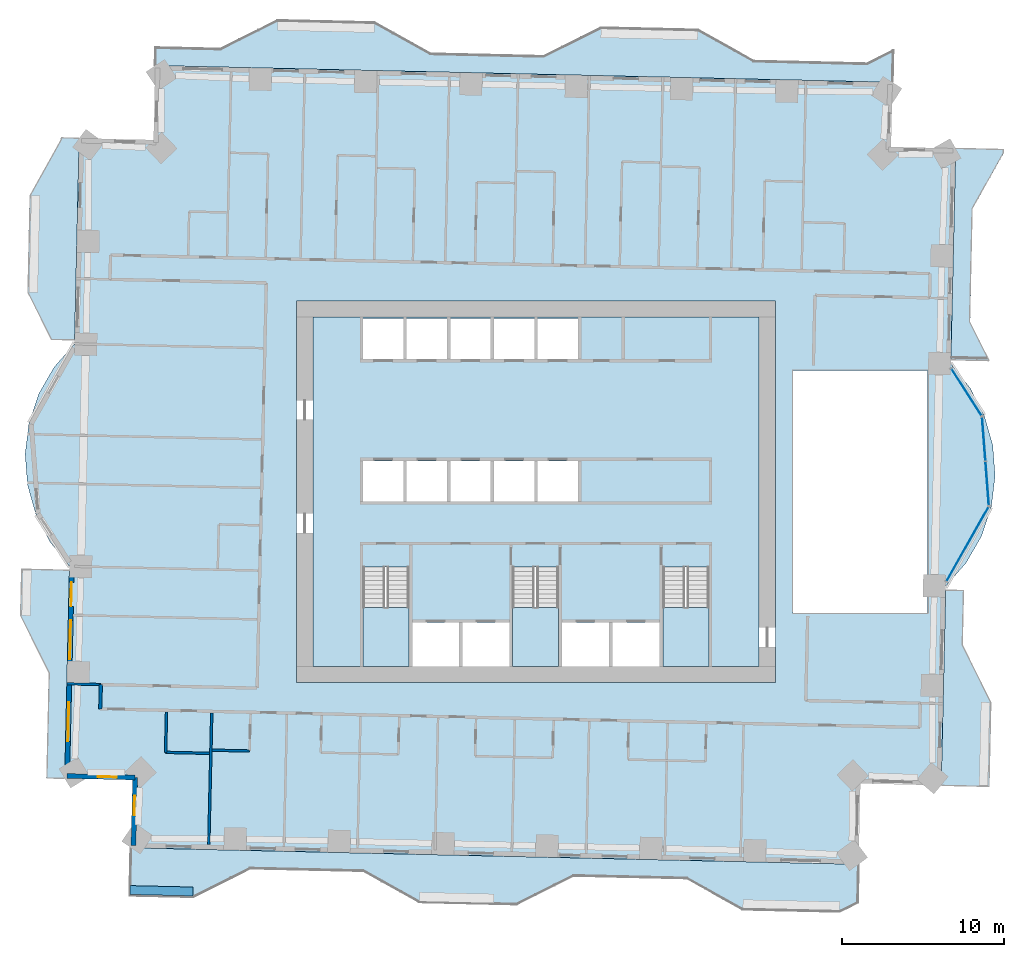
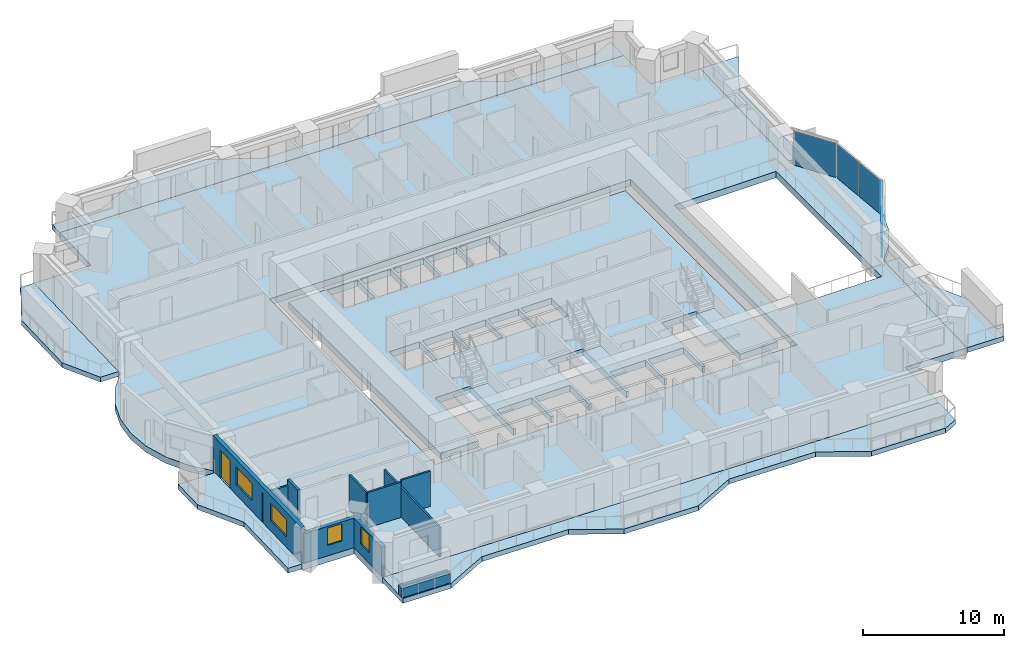
# One storey, part 5 of 16: 11 slabs, 10 walls, 4 plates, 4 windows, 1 door, 5 openings, 6 elements without a shape of their own.
"""IFC4 building model written with IfcOpenShell, lengths in metres."""

from ifc_helpers import new_model, si_unit, direction, frame, frame_2d, origin, origin_2d, place, context, subcontext, project, spatial, polyline, rectangle, outline, extrude, material, layer, layer_set, type_object, element, fill, aggregate, save


model = new_model("IFC4")

# Units and contexts
model_context = context("Model", 3, precision=1e-05, world=origin(), true_north=direction((0.0, 1.0)))
body_context = subcontext(model_context, "Body", "Model", "MODEL_VIEW")
ifc_project = project(units=[si_unit("LENGTHUNIT", "METRE"), si_unit("AREAUNIT", "SQUARE_METRE"), si_unit("VOLUMEUNIT", "CUBIC_METRE"), si_unit("PLANEANGLEUNIT", "RADIAN"), si_unit("MASSUNIT", "GRAM", prefix="KILO")], contexts=[model_context])

# Site, building, storey
site_placement = place(None, origin())
site = spatial("IfcSite", under=ifc_project, at=site_placement, CompositionType="ELEMENT")
building_placement = place(site_placement, origin())
building = spatial("IfcBuilding", under=site, at=building_placement, Name="Mangrove Gate Tower", CompositionType="ELEMENT")
storey_placement = place(building_placement, frame((0.0, 0.0, 105.5)))
storey = spatial("IfcBuildingStorey", under=building, at=storey_placement, Name="L26", CompositionType="ELEMENT", Elevation=105.5)

# Curtain wall, plate
ifc_material_1 = material(Name="Aluminium and glass curtain wall", Category="aluminium")
curtain_wall_type = type_object("IfcCurtainWallType", Name="Atrium garden-court glazing wall", PredefinedType="NOTDEFINED", material=ifc_material_1)
curtain_wall_1_placement = place(storey_placement, origin())
curtain_wall_1 = element("IfcCurtainWall", 1, at=curtain_wall_1_placement, inside=storey, type_object=curtain_wall_type, Name="Atrium garden-court glazing E1f1", PredefinedType="NOTDEFINED")
ifc_material_2 = material(Name="Laminated low-e glass", Category="glass")
ifc_layer_1 = layer(ifc_material_2, 0.031982421875)
ifc_layer_set_1 = layer_set([ifc_layer_1], Name="Atrium garden-court glazing panel 32")
plate_type = type_object("IfcPlateType", Name="Atrium garden-court glazing panel 32", PredefinedType="CURTAIN_PANEL", material=ifc_layer_set_1)
plate_1_placement = place(storey_placement, frame((26.68603515625, -3.244873046875, 0.0), z_axis=(0.0, 0.0, 1.0), x_axis=(0.492584614745, 0.870264555935, 0.0)))
plate_1 = element("IfcPlate", 2, at=plate_1_placement, type_object=plate_type, Name="CWA panel 1.1", PredefinedType="CURTAIN_PANEL", context=body_context, shape_type="SweptSolid", body=[
    extrude(rectangle(XDim=5.258056640625, YDim=0.031982421875, at=origin_2d()), origin(), (0.0, 0.0, 1.0), 2.97998046875),
])
aggregate(curtain_wall_1, [plate_1])

# Curtain wall, plates
curtain_wall_2_placement = place(storey_placement, origin())
curtain_wall_2 = element("IfcCurtainWall", 3, at=curtain_wall_2_placement, inside=storey, type_object=curtain_wall_type, Name="Atrium garden-court glazing E1f2", PredefinedType="NOTDEFINED")
plate_2_placement = place(storey_placement, frame((27.906982421875, 0.5107421875, 0.0), z_axis=(0.0, 0.0, 1.0), x_axis=(-0.077023348229, 0.997029289353, 0.0)))
plate_2 = element("IfcPlate", 4, at=plate_2_placement, type_object=plate_type, Name="CWA panel 1.1", PredefinedType="CURTAIN_PANEL", context=body_context, shape_type="SweptSolid", body=[
    extrude(rectangle(XDim=2.681640625, YDim=0.031982421875, at=origin_2d()), origin(), (0.0, 0.0, 1.0), 2.97998046875),
])
plate_3_placement = place(storey_placement, frame((27.69482421875, 3.25439453125, 0.0), z_axis=(0.0, 0.0, 1.0), x_axis=(-0.077023348229, 0.997029289353, 0.0)))
plate_3 = element("IfcPlate", 5, at=plate_3_placement, type_object=plate_type, Name="CWA panel 2.1", PredefinedType="CURTAIN_PANEL", context=body_context, shape_type="SweptSolid", body=[
    extrude(rectangle(XDim=2.681640625, YDim=0.031982421875, at=origin_2d()), origin(), (0.0, 0.0, 1.0), 2.97998046875),
])
aggregate(curtain_wall_2, [plate_2, plate_3])

# Curtain wall, plate
curtain_wall_3_placement = place(storey_placement, origin())
curtain_wall_3 = element("IfcCurtainWall", 6, at=curtain_wall_3_placement, inside=storey, type_object=curtain_wall_type, Name="Atrium garden-court glazing E1f3", PredefinedType="NOTDEFINED")
plate_4_placement = place(storey_placement, frame((26.621826171875, 6.162109375, 0.0), z_axis=(0.0, 0.0, 1.0), x_axis=(-0.540510523896, 0.841337253162, 0.0)))
plate_4 = element("IfcPlate", 7, at=plate_4_placement, type_object=plate_type, Name="CWA panel 1.1", PredefinedType="CURTAIN_PANEL", context=body_context, shape_type="SweptSolid", body=[
    extrude(rectangle(XDim=3.428466796875, YDim=0.031982421875, at=origin_2d()), origin(), (0.0, 0.0, 1.0), 2.97998046875),
])
aggregate(curtain_wall_3, [plate_4])

# Slabs
ifc_material_3 = material(Name="Porcelain tile")
ifc_layer_2 = layer(ifc_material_3, 0.02001953125, Name="Tile finish")
ifc_material_4 = material(Name="Cement sand screed")
ifc_layer_3 = layer(ifc_material_4, 0.0400390625, Name="Screed laid to falls")
ifc_material_5 = material(Name="Bituminous waterproofing membrane")
ifc_layer_4 = layer(ifc_material_5, 0.00390625, Name="Waterproofing")
ifc_material_6 = material(Name="Concrete C40/50", Category="concrete")
ifc_layer_5 = layer(ifc_material_6, 0.340087890625, Name="Balcony structural slab")
ifc_material_7 = material(Name="Limestone", Category="masonry")
ifc_layer_6 = layer(ifc_material_7, 0.01611328125, Name="Soffit lining")
ifc_layer_set_2 = layer_set([ifc_layer_2, ifc_layer_3, ifc_layer_4, ifc_layer_5, ifc_layer_6], Name="Balcony slab 420 C40/50")
slab_type_1 = type_object("IfcSlabType", Name="Balcony slab 420 C40/50", PredefinedType="FLOOR", material=ifc_layer_set_2)
slab_1_placement = place(storey_placement, frame((0.0, 0.0, -0.419921875)))
element("IfcSlab", 8, at=slab_1_placement, inside=storey, type_object=slab_type_1, Name="BALCONY L26 E0", PredefinedType="FLOOR", context=body_context, shape_type="SweptSolid", body=[
    extrude(outline(polyline([(28.051025390625, -18.22802734375), (28.1689453125, -13.029052734375), (26.39892578125, -9.488037109375), (26.47509765625, -6.114013671875), (25.3349609375, -6.087890625), (25.259033203125, -9.4619140625), (25.178955078125, -12.9609375), (25.06103515625, -18.159912109375), (28.051025390625, -18.22802734375)])), origin(), (0.0, 0.0, 1.0), 0.419921875),
])
slab_2_placement = place(storey_placement, frame((0.0, 0.0, -0.419921875)))
element("IfcSlab", 9, at=slab_2_placement, inside=storey, type_object=slab_type_1, Name="BALCONY L26 E1", PredefinedType="FLOOR", context=body_context, shape_type="SweptSolid", body=[
    extrude(outline(polyline([(28.052978515625, 8.10400390625), (26.85205078125, 10.507080078125), (27.010986328125, 17.5048828125), (28.93994140625, 20.9619140625), (28.945068359375, 21.162109375), (25.955078125, 21.22998046875), (25.950927734375, 21.030029296875), (25.87109375, 17.531005859375), (25.712890625, 10.532958984375), (25.658935546875, 8.158935546875), (28.052978515625, 8.10400390625)])), origin(), (0.0, 0.0, 1.0), 0.419921875),
])
slab_3_placement = place(storey_placement, frame((0.0, 0.0, -0.419921875)))
element("IfcSlab", 10, at=slab_3_placement, inside=storey, type_object=slab_type_1, Name="BALCONY L26 N0", PredefinedType="FLOOR", context=body_context, shape_type="SweptSolid", body=[
    extrude(outline(polyline([(22.092041015625, 27.306884765625), (20.468994140625, 26.49609375), (13.470947265625, 26.655029296875), (10.013916015625, 28.5830078125), (4.01611328125, 28.719970703125), (0.47509765625, 26.948974609375), (-0.72509765625, 26.97705078125), (-6.52392578125, 27.10791015625), (-9.98095703125, 29.037109375), (-15.97900390625, 29.173095703125), (-19.52001953125, 27.404052734375), (-23.52294921875, 27.493896484375), (-23.549072265625, 26.35400390625), (22.047119140625, 25.320068359375), (22.092041015625, 27.306884765625)])), origin(), (0.0, 0.0, 1.0), 0.419921875),
])
slab_4_placement = place(storey_placement, frame((0.0, 0.0, -0.419921875)))
element("IfcSlab", 11, at=slab_4_placement, inside=storey, type_object=slab_type_1, Name="BALCONY L26 W0", PredefinedType="FLOOR", context=body_context, shape_type="SweptSolid", body=[
    extrude(outline(polyline([(-29.39208984375, 21.885986328125), (-29.39404296875, 21.785888671875), (-31.322998046875, 18.3291015625), (-31.458984375, 12.330078125), (-30.006103515625, 9.422119140625), (-28.534912109375, 9.387939453125), (-28.469970703125, 12.261962890625), (-28.333984375, 18.260986328125), (-28.2548828125, 21.760009765625), (-28.251953125, 21.860107421875), (-29.39208984375, 21.885986328125)])), origin(), (0.0, 0.0, 1.0), 0.419921875),
])
slab_5_placement = place(storey_placement, frame((0.0, 0.0, -0.419921875)))
element("IfcSlab", 12, at=slab_5_placement, inside=storey, type_object=slab_type_1, Name="BALCONY L26 W1", PredefinedType="FLOOR", context=body_context, shape_type="SweptSolid", body=[
    extrude(outline(polyline([(-31.847900390625, -4.791015625), (-31.9130859375, -7.6650390625), (-30.14306640625, -11.2060546875), (-30.2900390625, -17.7041015625), (-29.15087890625, -17.72998046875), (-29.0029296875, -11.23193359375), (-28.924072265625, -7.73291015625), (-28.85888671875, -4.85888671875), (-31.847900390625, -4.791015625)])), origin(), (0.0, 0.0, 1.0), 0.419921875),
])
slab_6_placement = place(storey_placement, frame((0.0, 0.0, -0.419921875)))
element("IfcSlab", 13, at=slab_6_placement, inside=storey, type_object=slab_type_1, Name="BALCONY L26 S0", PredefinedType="FLOOR", context=body_context, shape_type="SweptSolid", body=[
    extrude(outline(polyline([(-25.114990234375, -25.012939453125), (-21.2119140625, -25.10205078125), (-17.6708984375, -23.33203125), (-10.673095703125, -23.490966796875), (-7.216064453125, -25.419921875), (-1.217041015625, -25.555908203125), (2.323974609375, -23.787109375), (9.322021484375, -23.944091796875), (12.779052734375, -25.873046875), (18.778076171875, -26.009033203125), (19.89501953125, -25.450927734375), (19.948974609375, -23.044921875), (-25.047119140625, -22.02392578125), (-25.114990234375, -25.012939453125)])), origin(), (0.0, 0.0, 1.0), 0.419921875),
])
ifc_material_8 = material(Name="Concrete C40/50", Category="concrete")
ifc_layer_7 = layer(ifc_material_8, 0.550048828125)
ifc_layer_set_3 = layer_set([ifc_layer_7], Name="Core floor slab 550 C40/50")
slab_type_2 = type_object("IfcSlabType", Name="Core floor slab 550 C40/50", PredefinedType="FLOOR", material=ifc_layer_set_3)
slab_7_placement = place(storey_placement, frame((0.0, 0.0, -0.550048828125)))
element("IfcSlab", 14, at=slab_7_placement, inside=storey, type_object=slab_type_2, Name="SLAB-L26-CORE-1", PredefinedType="FLOOR", context=body_context, shape_type="SweptSolid", body=[
    extrude(outline(polyline([(-13.800048828125, -10.800048828125), (-13.800048828125, 10.800048828125), (13.800048828125, 10.800048828125), (13.800048828125, -10.800048828125), (10.699951171875, -10.800048828125), (10.699951171875, -4.653076171875), (7.85009765625, -4.653076171875), (7.85009765625, -10.800048828125), (7.64990234375, -10.800048828125), (7.64990234375, -8.10009765625), (4.72509765625, -8.10009765625), (4.72509765625, -10.800048828125), (4.52490234375, -10.800048828125), (4.52490234375, -8.10009765625), (1.60009765625, -8.10009765625), (1.60009765625, -10.800048828125), (1.39990234375, -10.800048828125), (1.39990234375, -4.653076171875), (-1.449951171875, -4.653076171875), (-1.449951171875, -10.800048828125), (-1.64990234375, -10.800048828125), (-1.64990234375, -8.10009765625), (-4.550048828125, -8.10009765625), (-4.550048828125, -10.800048828125), (-4.75, -10.800048828125), (-4.75, -8.10009765625), (-7.64990234375, -8.10009765625), (-7.64990234375, -10.800048828125), (-7.85009765625, -10.800048828125), (-7.85009765625, -4.653076171875), (-10.699951171875, -4.653076171875), (-10.699951171875, -10.800048828125), (-13.800048828125, -10.800048828125)]), holes=[polyline([(-8.199951171875, -0.60009765625), (-8.199951171875, 1.89990234375), (-10.699951171875, 1.89990234375), (-10.699951171875, -0.60009765625), (-8.199951171875, -0.60009765625)]), polyline([(-5.5, -0.60009765625), (-5.5, 1.89990234375), (-8.0, 1.89990234375), (-8.0, -0.60009765625), (-5.5, -0.60009765625)]), polyline([(-2.800048828125, -0.60009765625), (-2.800048828125, 1.89990234375), (-5.300048828125, 1.89990234375), (-5.300048828125, -0.60009765625), (-2.800048828125, -0.60009765625)]), polyline([(-8.199951171875, 8.199951171875), (-8.199951171875, 10.699951171875), (-10.699951171875, 10.699951171875), (-10.699951171875, 8.199951171875), (-8.199951171875, 8.199951171875)]), polyline([(-5.5, 8.199951171875), (-5.5, 10.699951171875), (-8.0, 10.699951171875), (-8.0, 8.199951171875), (-5.5, 8.199951171875)]), polyline([(-2.800048828125, 8.199951171875), (-2.800048828125, 10.699951171875), (-5.300048828125, 10.699951171875), (-5.300048828125, 8.199951171875), (-2.800048828125, 8.199951171875)]), polyline([(-0.10009765625, -0.60009765625), (-0.10009765625, 1.89990234375), (-2.60009765625, 1.89990234375), (-2.60009765625, -0.60009765625), (-0.10009765625, -0.60009765625)]), polyline([(2.60009765625, -0.60009765625), (2.60009765625, 1.89990234375), (0.10009765625, 1.89990234375), (0.10009765625, -0.60009765625), (2.60009765625, -0.60009765625)]), polyline([(-2.60009765625, 8.199951171875), (-0.10009765625, 8.199951171875), (-0.10009765625, 10.699951171875), (-2.60009765625, 10.699951171875), (-2.60009765625, 8.199951171875)]), polyline([(0.10009765625, 8.199951171875), (2.60009765625, 8.199951171875), (2.60009765625, 10.699951171875), (0.10009765625, 10.699951171875), (0.10009765625, 8.199951171875)])]), origin(), (0.0, 0.0, 1.0), 0.550048828125),
])

# Stair, slab
ifc_material_9 = material(Name="Concrete C40/50", Category="concrete")
stair_type = type_object("IfcStairType", Name="Core stair 1350", PredefinedType="HALF_TURN_STAIR", material=ifc_material_9)
stair_1_placement = place(storey_placement, origin())
stair_1 = element("IfcStair", 15, at=stair_1_placement, inside=storey, type_object=stair_type, Name="L26 Stair 1", PredefinedType="HALF_TURN_STAIR")
ifc_material_10 = material(Name="Concrete C40/50", Category="concrete")
ifc_layer_8 = layer(ifc_material_10, 0.199951171875)
ifc_layer_set_4 = layer_set([ifc_layer_8], Name="Core stair landing 200")
slab_type_3 = type_object("IfcSlabType", Name="Core stair landing 200", PredefinedType="LANDING", material=ifc_layer_set_4)
slab_8_placement = place(storey_placement, frame((0.0, 0.0, 1.60009765625)))
slab_8 = element("IfcSlab", 16, at=slab_8_placement, type_object=slab_type_3, Name="ST1 landing 1", PredefinedType="LANDING", context=body_context, shape_type="SweptSolid", body=[
    extrude(outline(polyline([(-10.699951171875, -7.169921875), (-10.699951171875, -10.800048828125), (-7.85009765625, -10.800048828125), (-7.85009765625, -7.169921875), (-10.699951171875, -7.169921875)])), origin(), (0.0, 0.0, 1.0), 0.199951171875),
])
aggregate(stair_1, [slab_8])

stair_2_placement = place(storey_placement, origin())
stair_2 = element("IfcStair", 17, at=stair_2_placement, inside=storey, type_object=stair_type, Name="L26 Stair 2", PredefinedType="HALF_TURN_STAIR")
slab_9_placement = place(storey_placement, frame((0.0, 0.0, 1.60009765625)))
slab_9 = element("IfcSlab", 18, at=slab_9_placement, type_object=slab_type_3, Name="ST2 landing 1", PredefinedType="LANDING", context=body_context, shape_type="SweptSolid", body=[
    extrude(outline(polyline([(-1.449951171875, -7.169921875), (-1.449951171875, -10.800048828125), (1.39990234375, -10.800048828125), (1.39990234375, -7.169921875), (-1.449951171875, -7.169921875)])), origin(), (0.0, 0.0, 1.0), 0.199951171875),
])
aggregate(stair_2, [slab_9])

stair_3_placement = place(storey_placement, origin())
stair_3 = element("IfcStair", 19, at=stair_3_placement, inside=storey, type_object=stair_type, Name="L26 Stair 3", PredefinedType="HALF_TURN_STAIR")
slab_10_placement = place(storey_placement, frame((0.0, 0.0, 1.60009765625)))
slab_10 = element("IfcSlab", 20, at=slab_10_placement, type_object=slab_type_3, Name="ST3 landing 1", PredefinedType="LANDING", context=body_context, shape_type="SweptSolid", body=[
    extrude(outline(polyline([(7.85009765625, -7.169921875), (7.85009765625, -10.800048828125), (10.699951171875, -10.800048828125), (10.699951171875, -7.169921875), (7.85009765625, -7.169921875)])), origin(), (0.0, 0.0, 1.0), 0.199951171875),
])
aggregate(stair_3, [slab_10])

# Slab
ifc_material_11 = material(Name="Concrete C40/50", Category="concrete")
ifc_layer_9 = layer(ifc_material_11, 0.550048828125)
ifc_layer_set_5 = layer_set([ifc_layer_9], Name="Floor slab 550 C40/50")
slab_type_4 = type_object("IfcSlabType", Name="Floor slab 550 C40/50", PredefinedType="FLOOR", material=ifc_layer_set_5)
slab_11_placement = place(storey_placement, frame((0.0, 0.0, -0.550048828125)))
element("IfcSlab", 21, at=slab_11_placement, inside=storey, type_object=slab_type_4, Name="Floor slab L26", PredefinedType="FLOOR", context=body_context, shape_type="SweptSolid", body=[
    extrude(outline(polyline([(-25.047119140625, -22.024169921875), (19.94921875, -23.045166015625), (20.062744140625, -18.046630859375), (25.0615234375, -18.159912109375), (25.341064453125, -5.83837890625), (26.60400390625, -4.40185546875), (27.55712890625, -2.74365234375), (28.16259765625, -0.92919921875), (28.396240234375, 0.96923828125), (28.2490234375, 2.87646484375), (27.7265625, 4.71630859375), (26.849609375, 6.416259765625), (25.653076171875, 7.90869140625), (25.955322265625, 21.22998046875), (21.956298828125, 21.320556640625), (22.047119140625, 25.319580078125), (-23.549072265625, 26.354248046875), (-23.653564453125, 21.755615234375), (-28.25244140625, 21.85986328125), (-28.541015625, 9.138427734375), (-29.803955078125, 7.701904296875), (-30.757080078125, 6.043701171875), (-31.362548828125, 4.229248046875), (-31.59619140625, 2.330810546875), (-31.448974609375, 0.423583984375), (-30.926513671875, -1.41650390625), (-30.049560546875, -3.1162109375), (-28.85302734375, -4.608642578125), (-29.15087890625, -17.72998046875), (-24.951904296875, -17.8251953125), (-25.047119140625, -22.024169921875)]), holes=[polyline([(15.89990234375, 7.5), (24.22705078125, 7.5), (24.22705078125, -7.5), (15.89990234375, -7.5), (15.89990234375, 7.5)]), polyline([(-14.800048828125, -11.800048828125), (-14.800048828125, 11.800048828125), (14.800048828125, 11.800048828125), (14.800048828125, -11.800048828125), (-14.800048828125, -11.800048828125)])]), origin(), (0.0, 0.0, 1.0), 0.550048828125),
])

# Wall
ifc_material_12 = material(Name="Gypsum board on steel stud, EI 60", Category="steel")
ifc_layer_10 = layer(ifc_material_12, 0.199951171875)
ifc_layer_set_6 = layer_set([ifc_layer_10], Name="Corridor wall EI 60")
wall_type_1 = type_object("IfcWallType", Name="Corridor wall EI 60", PredefinedType="PARTITIONING", material=ifc_layer_set_6)
wall_1_placement = place(storey_placement, frame((-26.948974609375, -13.428955078125, 0.0), z_axis=(0.0, 0.0, 1.0), x_axis=(0.022617910375, 0.999744182344, 0.0)))
element("IfcWall", 22, at=wall_1_placement, inside=storey, type_object=wall_type_1, Name="WALL-L26-023", PredefinedType="PARTITIONING", context=body_context, shape_type="SweptSolid", body=[
    extrude(rectangle(XDim=1.50048828125, YDim=0.199951171875, at=frame_2d((0.750244140625, 0.0))), origin(), (0.0, 0.0, 1.0), 3.050048828125),
])

# Wall, openings, door, windows
ifc_layer_11 = layer(ifc_material_7, 0.0400390625, Name="Limestone cladding")
ifc_material_13 = material(Name="Ventilated air gap")
ifc_layer_12 = layer(ifc_material_13, 0.0400390625, Name="Ventilated cavity")
ifc_material_14 = material(Name="Mineral wool insulation")
ifc_layer_13 = layer(ifc_material_14, 0.06005859375, Name="Insulation")
ifc_material_15 = material(Name="Breather membrane")
ifc_layer_14 = layer(ifc_material_15, 0.001953125, Name="Breather membrane")
ifc_material_16 = material(Name="Concrete C20/25 blockwork", Category="masonry")
ifc_layer_15 = layer(ifc_material_16, 0.14990234375, Name="Blockwork backing wall")
ifc_material_17 = material(Name="Gypsum plaster")
ifc_layer_16 = layer(ifc_material_17, 0.008056640625, Name="Internal plaster")
ifc_layer_set_7 = layer_set([ifc_layer_11, ifc_layer_12, ifc_layer_13, ifc_layer_14, ifc_layer_15, ifc_layer_16], Name="External wall 300 limestone cladding")
wall_type_2 = type_object("IfcWallType", Name="External wall 300 limestone cladding", PredefinedType="SOLIDWALL", material=ifc_layer_set_7)
wall_2_placement = place(storey_placement, frame((-28.701904296875, -4.556884765625, 0.0), z_axis=(0.0, 0.0, 1.0), x_axis=(-0.022653729471, -0.999743371341, 0.0)))
wall_2 = element("IfcWall", 23, at=wall_2_placement, inside=storey, type_object=wall_type_2, Name="WALL-L26-W10", PredefinedType="SOLIDWALL", context=body_context, shape_type="SweptSolid", body=[
    extrude(rectangle(XDim=13.029541015625, YDim=0.300048828125, at=frame_2d((6.5146484375, 0.0))), origin(), (0.0, 0.0, 1.0), 3.050048828125),
])
opening_1_placement = place(wall_2_placement, frame((1.0419921875, 0.0, 0.0)))
opening_1 = element("IfcOpeningElement", 24, at=opening_1_placement, cuts=wall_2, Name="Opening BD1", PredefinedType="OPENING", context=body_context, shape_type="SweptSolid", body=[
    extrude(rectangle(XDim=1.5, YDim=2.39990234375, at=frame_2d((0.75, 1.199951171875))), frame((0.0, 0.159912109375, 0.0), z_axis=(0.0, -1.0, 0.0), x_axis=(1.0, 0.0, 0.0)), (0.0, 0.0, 1.0), 0.320068359375),
])
opening_2_placement = place(wall_2_placement, frame((3.39794921875, 0.0, 0.89990234375)))
opening_2 = element("IfcOpeningElement", 25, at=opening_2_placement, cuts=wall_2, Name="Opening W2", PredefinedType="OPENING", context=body_context, shape_type="SweptSolid", body=[
    extrude(rectangle(XDim=2.39990234375, YDim=1.5, at=frame_2d((1.199951171875, 0.75))), frame((0.0, 0.159912109375, 0.0), z_axis=(0.0, -1.0, 0.0), x_axis=(1.0, 0.0, 0.0)), (0.0, 0.0, 1.0), 0.320068359375),
])
opening_3_placement = place(wall_2_placement, frame((8.48193359375, 0.0, 0.89990234375)))
opening_3 = element("IfcOpeningElement", 26, at=opening_3_placement, cuts=wall_2, Name="Opening W2", PredefinedType="OPENING", context=body_context, shape_type="SweptSolid", body=[
    extrude(rectangle(XDim=2.39990234375, YDim=1.5, at=frame_2d((1.199951171875, 0.75))), frame((0.0, 0.159912109375, 0.0), z_axis=(0.0, -1.0, 0.0), x_axis=(1.0, 0.0, 0.0)), (0.0, 0.0, 1.0), 0.320068359375),
])
ifc_material_18 = material(Name="Aluminium frame with laminated clear glass", Category="aluminium")
door_type = type_object("IfcDoorType", Name="Balcony sliding door 1500x2400", OperationType="SLIDING_TO_LEFT", PredefinedType="DOOR", material=ifc_material_18)
door_placement = place(opening_1_placement, origin())
door = element("IfcDoor", 27, at=door_placement, inside=storey, type_object=door_type, Name="DOOR-L26-W10-1", OperationType="SLIDING_TO_LEFT", OverallHeight=2.39990234375, OverallWidth=1.5, PredefinedType="DOOR", context=body_context, shape_type="SweptSolid", body=[
    extrude(rectangle(XDim=1.5, YDim=2.39990234375, at=frame_2d((0.75, 1.199951171875))), frame((0.0, 0.02490234375, 0.0), z_axis=(0.0, -1.0, 0.0), x_axis=(1.0, 0.0, 0.0)), (0.0, 0.0, 1.0), 0.050048828125),
])
fill(opening_1, door)
ifc_material_19 = material(Name="Aluminium frame with double-glazed low-e glass", Category="aluminium")
window_type_1 = type_object("IfcWindowType", Name="Corner room window 2400x1500", PartitioningType="DOUBLE_PANEL_VERTICAL", PredefinedType="WINDOW", material=ifc_material_19)
window_1_placement = place(opening_2_placement, origin())
window_1 = element("IfcWindow", 28, at=window_1_placement, inside=storey, type_object=window_type_1, Name="WIN-L26-W10-2", OverallHeight=1.5, OverallWidth=2.39990234375, PartitioningType="DOUBLE_PANEL_VERTICAL", PredefinedType="WINDOW", context=body_context, shape_type="SweptSolid", body=[
    extrude(rectangle(XDim=2.39990234375, YDim=1.5, at=frame_2d((1.199951171875, 0.75))), frame((0.0, 0.030029296875, 0.0), z_axis=(0.0, -1.0, 0.0), x_axis=(1.0, 0.0, 0.0)), (0.0, 0.0, 1.0), 0.06005859375),
])
fill(opening_2, window_1)
window_2_placement = place(opening_3_placement, origin())
window_2 = element("IfcWindow", 29, at=window_2_placement, inside=storey, type_object=window_type_1, Name="WIN-L26-W10-3", OverallHeight=1.5, OverallWidth=2.39990234375, PartitioningType="DOUBLE_PANEL_VERTICAL", PredefinedType="WINDOW", context=body_context, shape_type="SweptSolid", body=[
    extrude(rectangle(XDim=2.39990234375, YDim=1.5, at=frame_2d((1.199951171875, 0.75))), frame((0.0, 0.030029296875, 0.0), z_axis=(0.0, -1.0, 0.0), x_axis=(1.0, 0.0, 0.0)), (0.0, 0.0, 1.0), 0.06005859375),
])
fill(opening_3, window_2)

# Wall, opening, window
wall_3_placement = place(storey_placement, frame((-28.9970703125, -17.5830078125, 0.0), z_axis=(0.0, 0.0, 1.0), x_axis=(0.999739037152, -0.022844202663, 0.0)))
wall_3 = element("IfcWall", 30, at=wall_3_placement, inside=storey, type_object=wall_type_2, Name="WALL-L26-S11", PredefinedType="SOLIDWALL", context=body_context, shape_type="SweptSolid", body=[
    extrude(rectangle(XDim=4.199951171875, YDim=0.300048828125, at=frame_2d((2.10009765625, 0.0))), origin(), (0.0, 0.0, 1.0), 2.550048828125),
])
opening_4_placement = place(wall_3_placement, frame((1.881103515625, 0.0, 0.89990234375)))
opening_4 = element("IfcOpeningElement", 31, at=opening_4_placement, cuts=wall_3, Name="Opening W1", PredefinedType="OPENING", context=body_context, shape_type="SweptSolid", body=[
    extrude(rectangle(XDim=1.199951171875, YDim=1.5, at=frame_2d((0.60009765625, 0.75))), frame((0.0, 0.159912109375, 0.0), z_axis=(0.0, -1.0, 0.0), x_axis=(1.0, 0.0, 0.0)), (0.0, 0.0, 1.0), 0.320068359375),
])
ifc_material_20 = material(Name="Aluminium frame with double-glazed low-e glass", Category="aluminium")
window_type_2 = type_object("IfcWindowType", Name="Side lite 1200x1500", PartitioningType="SINGLE_PANEL", PredefinedType="WINDOW", material=ifc_material_20)
window_3_placement = place(opening_4_placement, origin())
window_3 = element("IfcWindow", 32, at=window_3_placement, inside=storey, type_object=window_type_2, Name="WIN-L26-S11-1", OverallHeight=1.5, OverallWidth=1.199951171875, PartitioningType="SINGLE_PANEL", PredefinedType="WINDOW", context=body_context, shape_type="SweptSolid", body=[
    extrude(rectangle(XDim=1.199951171875, YDim=1.5, at=frame_2d((0.60009765625, 0.75))), frame((0.0, 0.030029296875, 0.0), z_axis=(0.0, -1.0, 0.0), x_axis=(1.0, 0.0, 0.0)), (0.0, 0.0, 1.0), 0.06005859375),
])
fill(opening_4, window_3)

wall_4_placement = place(storey_placement, frame((-24.798095703125, -17.678955078125, 0.0), z_axis=(0.0, 0.0, 1.0), x_axis=(-0.022844202663, -0.999739037152, 0.0)))
wall_4 = element("IfcWall", 33, at=wall_4_placement, inside=storey, type_object=wall_type_2, Name="WALL-L26-W12", PredefinedType="SOLIDWALL", context=body_context, shape_type="SweptSolid", body=[
    extrude(rectangle(XDim=4.199951171875, YDim=0.300048828125, at=frame_2d((2.10009765625, 0.0))), origin(), (0.0, 0.0, 1.0), 2.550048828125),
])
opening_5_placement = place(wall_4_placement, frame((1.1201171875, 0.0, 0.89990234375)))
opening_5 = element("IfcOpeningElement", 34, at=opening_5_placement, cuts=wall_4, Name="Opening W1", PredefinedType="OPENING", context=body_context, shape_type="SweptSolid", body=[
    extrude(rectangle(XDim=1.199951171875, YDim=1.5, at=frame_2d((0.60009765625, 0.75))), frame((0.0, 0.159912109375, 0.0), z_axis=(0.0, -1.0, 0.0), x_axis=(1.0, 0.0, 0.0)), (0.0, 0.0, 1.0), 0.320068359375),
])
window_4_placement = place(opening_5_placement, origin())
window_4 = element("IfcWindow", 35, at=window_4_placement, inside=storey, type_object=window_type_2, Name="WIN-L26-W12-1", OverallHeight=1.5, OverallWidth=1.199951171875, PartitioningType="SINGLE_PANEL", PredefinedType="WINDOW", context=body_context, shape_type="SweptSolid", body=[
    extrude(rectangle(XDim=1.199951171875, YDim=1.5, at=frame_2d((0.60009765625, 0.75))), frame((0.0, 0.030029296875, 0.0), z_axis=(0.0, -1.0, 0.0), x_axis=(1.0, 0.0, 0.0)), (0.0, 0.0, 1.0), 0.06005859375),
])
fill(opening_5, window_4)

# Walls
ifc_material_21 = material(Name="Gypsum board on steel stud, EI 60", Category="steel")
ifc_layer_17 = layer(ifc_material_21, 0.14990234375)
ifc_layer_set_8 = layer_set([ifc_layer_17], Name="Party wall 150 EI 60")
wall_type_3 = type_object("IfcWallType", Name="Party wall 150 EI 60", PredefinedType="PARTITIONING", material=ifc_layer_set_8)
wall_5_placement = place(storey_placement, frame((-20.238037109375, -21.833984375, 0.0), z_axis=(0.0, 0.0, 1.0), x_axis=(0.0227037155, 0.99974223743, 0.0)))
element("IfcWall", 36, at=wall_5_placement, inside=storey, type_object=wall_type_3, Name="WALL-L26-001", PredefinedType="PARTITIONING", context=body_context, shape_type="SweptSolid", body=[
    extrude(rectangle(XDim=8.151123046875, YDim=0.14990234375, at=frame_2d((4.07568359375, 0.0))), origin(), (0.0, 0.0, 1.0), 2.550048828125),
])
wall_6_placement = place(storey_placement, frame((-22.9130859375, -16.12109375, 0.0), z_axis=(0.0, 0.0, 1.0), x_axis=(0.999741187782, -0.022749889061, 0.0)))
element("IfcWall", 37, at=wall_6_placement, inside=storey, type_object=wall_type_3, Name="WALL-L26-009", PredefinedType="PARTITIONING", context=body_context, shape_type="SweptSolid", body=[
    extrude(rectangle(XDim=2.725830078125, YDim=0.14990234375, at=frame_2d((1.36279296875, 0.0))), origin(), (0.0, 0.0, 1.0), 3.050048828125),
])
wall_7_placement = place(storey_placement, frame((-22.908935546875, -16.12109375, 0.0), z_axis=(0.0, 0.0, 1.0), x_axis=(0.022756903044, 0.999741028149, 0.0)))
element("IfcWall", 38, at=wall_7_placement, inside=storey, type_object=wall_type_3, Name="WALL-L26-010", PredefinedType="PARTITIONING", context=body_context, shape_type="SweptSolid", body=[
    extrude(rectangle(XDim=2.499755859375, YDim=0.14990234375, at=frame_2d((1.25, 0.0))), origin(), (0.0, 0.0, 1.0), 3.050048828125),
])
wall_8_placement = place(storey_placement, frame((-20.033935546875, -15.986083984375, 0.0), z_axis=(0.0, 0.0, 1.0), x_axis=(0.999740478815, -0.022781023197, 0.0)))
element("IfcWall", 39, at=wall_8_placement, inside=storey, type_object=wall_type_3, Name="WALL-L26-011", PredefinedType="PARTITIONING", context=body_context, shape_type="SweptSolid", body=[
    extrude(rectangle(XDim=2.325439453125, YDim=0.14990234375, at=frame_2d((1.16259765625, 0.0))), origin(), (0.0, 0.0, 1.0), 3.050048828125),
])
wall_9_placement = place(storey_placement, frame((-29.01806640625, -11.881103515625, 0.0), z_axis=(0.0, 0.0, 1.0), x_axis=(0.999741236023, -0.022747769011, 0.0)))
element("IfcWall", 40, at=wall_9_placement, inside=storey, type_object=wall_type_3, Name="WALL-L26-025", PredefinedType="PARTITIONING", context=body_context, shape_type="SweptSolid", body=[
    extrude(rectangle(XDim=2.103515625, YDim=0.14990234375, at=frame_2d((1.0517578125, 0.0))), origin(), (0.0, 0.0, 1.0), 2.550048828125),
])
ifc_material_22 = material(Name="Concrete C32/40", Category="concrete")
ifc_layer_18 = layer(ifc_material_22, 0.199951171875, Name="Planter trough wall")
ifc_layer_19 = layer(ifc_material_5, 0.0048828125, Name="Waterproofing")
ifc_material_23 = material(Name="Drainage board and gravel")
ifc_layer_20 = layer(ifc_material_23, 0.044921875, Name="Drainage layer")
ifc_material_24 = material(Name="Planting soil")
ifc_layer_21 = layer(ifc_material_24, 0.300048828125, Name="Growing medium")
ifc_layer_set_9 = layer_set([ifc_layer_18, ifc_layer_19, ifc_layer_20, ifc_layer_21], Name="Planter wall 550 C32/40")
wall_type_4 = type_object("IfcWallType", Name="Planter wall 550 C32/40", PredefinedType="USERDEFINED", material=ifc_layer_set_9)
wall_10_placement = place(storey_placement, frame((-25.10693359375, -24.637939453125, 0.0), z_axis=(0.0, 0.0, 1.0), x_axis=(0.999739440837, -0.022826529207, 0.0)))
element("IfcWall", 41, at=wall_10_placement, inside=storey, type_object=wall_type_4, Name="PLANTER L26 S0.1", ObjectType="PLANTER", PredefinedType="USERDEFINED", context=body_context, shape_type="SweptSolid", body=[
    extrude(rectangle(XDim=3.90380859375, YDim=0.550048828125, at=frame_2d((1.951904296875, 0.0))), origin(), (0.0, 0.0, 1.0), 0.800048828125),
])

save(model, "model.ifc")
